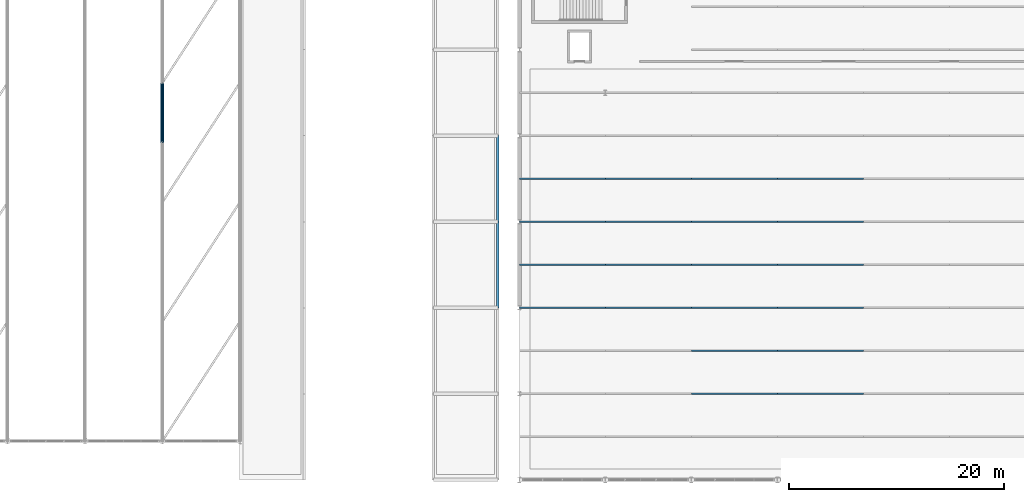
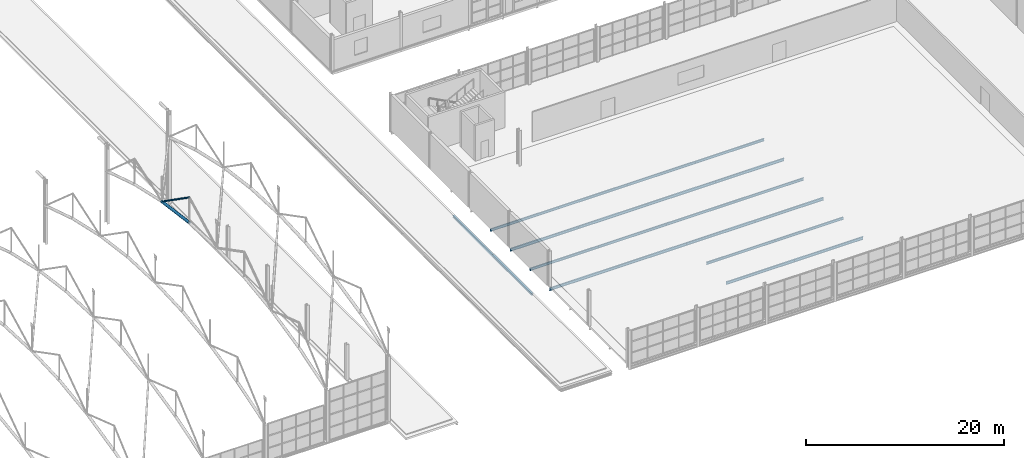
# One storey, part 71 of 153: 22 beams, 2 members.
"""IFC4 building model written with IfcOpenShell, lengths in metres."""

from ifc_helpers import new_model, si_unit, derived_unit, direction, frame, origin, origin_2d, place, context, subcontext, project, spatial, hollow_circle, i_section, extrude, material, material_profile, profile_set, type_object, element, save


model = new_model("IFC4")

# Units and contexts
model_context = context("Model", 3, precision=1e-05, world=origin(), true_north=direction((0.0, 1.0)))
body_context = subcontext(model_context, "Body", "Model", "MODEL_VIEW")
ifc_project = project(units=[si_unit("LENGTHUNIT", "METRE"), si_unit("AREAUNIT", "SQUARE_METRE"), si_unit("VOLUMEUNIT", "CUBIC_METRE"), si_unit("PLANEANGLEUNIT", "RADIAN"), si_unit("MASSUNIT", "GRAM", prefix="KILO"), derived_unit("THERMALTRANSMITTANCEUNIT", [(si_unit("POWERUNIT", "WATT"), 1), (si_unit("LENGTHUNIT", "METRE"), -2), (si_unit("THERMODYNAMICTEMPERATUREUNIT", "KELVIN"), -1)])], contexts=[model_context])

# Site, building, storey
site_placement = place(None, origin())
site = spatial("IfcSite", under=ifc_project, at=site_placement, CompositionType="ELEMENT")
building_placement = place(site_placement, origin())
building = spatial("IfcBuilding", under=site, at=building_placement, Name="Keldorne Ridge Multi-Sports Centre", CompositionType="ELEMENT")
storey_placement = place(building_placement, frame((0.0, 0.0, 9.60009765625)))
storey = spatial("IfcBuildingStorey", under=building, at=storey_placement, Name="L02", CompositionType="ELEMENT", Elevation=9.60009765625)

# Beams
ifc_material = material(Name="Steel S355", Category="steel")
ifc_material_profile_1 = material_profile(ifc_material, i_section(OverallWidth=0.159912109375, OverallDepth=0.330078125, WebThickness=0.007568359375, FlangeThickness=0.011474609375, FilletRadius=0.01806640625, at=origin_2d()), Name="IPE 330")
ifc_profile_set_1 = profile_set([ifc_material_profile_1], Name="Steel S355")
beam_type_1 = type_object("IfcBeamType", Name="BM-J-01", PredefinedType="JOIST", material=ifc_profile_set_1)
for number, where, z_axis, x_axis, name in (
    (1, (104.0, 22.0, -0.405029296875), (1.0, 0.0, 0.0), (0.0, 1.0, 0.0), "L02 Stacked Courts beam 1.5"),
    (2, (104.0, 30.0, -0.405029296875), (1.0, 0.0, 0.0), (0.0, 1.0, 0.0), "L02 Stacked Courts beam 1.7"),
    (3, (112.0, 22.0, -0.405029296875), (1.0, 0.0, 0.0), (0.0, 1.0, 0.0), "L02 Stacked Courts beam 2.5"),
    (4, (112.0, 30.0, -0.405029296875), (1.0, 0.0, 0.0), (0.0, 1.0, 0.0), "L02 Stacked Courts beam 2.7"),
    (5, (120.0, 14.0, -0.405029296875), (1.0, 0.0, 0.0), (0.0, 1.0, 0.0), "L02 Stacked Courts beam 3.3"),
    (6, (120.0, 22.0, -0.405029296875), (1.0, 0.0, 0.0), (0.0, 1.0, 0.0), "L02 Stacked Courts beam 3.5"),
    (7, (120.0, 30.0, -0.405029296875), (1.0, 0.0, 0.0), (0.0, 1.0, 0.0), "L02 Stacked Courts beam 3.7"),
    (8, (128.0, 14.0, -0.405029296875), (1.0, 0.0, 0.0), (0.0, 1.0, 0.0), "L02 Stacked Courts beam 4.3"),
    (9, (128.0, 22.0, -0.405029296875), (1.0, 0.0, 0.0), (0.0, 1.0, 0.0), "L02 Stacked Courts beam 4.5"),
    (10, (128.0, 30.0, -0.405029296875), (1.0, 0.0, 0.0), (0.0, 1.0, 0.0), "L02 Stacked Courts beam 4.7"),
):
    element("IfcBeam", number, at=place(storey_placement, frame(where, z_axis=z_axis, x_axis=x_axis)), inside=storey, type_object=beam_type_1, Name=name, PredefinedType="JOIST", context=body_context, shape_type="SweptSolid", body=[
        extrude(i_section(OverallWidth=0.159912109375, OverallDepth=0.330078125, WebThickness=0.007568359375, FlangeThickness=0.011474609375, FilletRadius=0.01806640625, at=origin_2d()), origin(), (0.0, 0.0, 1.0), 8.0),
    ])
ifc_material_profile_2 = material_profile(ifc_material, i_section(OverallWidth=0.14990234375, OverallDepth=0.300048828125, WebThickness=0.007080078125, FlangeThickness=0.0107421875, FilletRadius=0.014892578125, at=origin_2d()), Name="IPE 300")
ifc_profile_set_2 = profile_set([ifc_material_profile_2], Name="Steel S355")
beam_type_2 = type_object("IfcBeamType", Name="BM-J-02", PredefinedType="JOIST", material=ifc_profile_set_2)
for number, where, z_axis, x_axis, name in (
    (11, (104.0, 26.0, -0.39013671875), (1.0, 0.0, 0.0), (0.0, 1.0, 0.0), "L02 Stacked Courts beam 1.6"),
    (12, (104.0, 34.0, -0.39013671875), (1.0, 0.0, 0.0), (0.0, 1.0, 0.0), "L02 Stacked Courts beam 1.8"),
    (13, (112.0, 26.0, -0.39013671875), (1.0, 0.0, 0.0), (0.0, 1.0, 0.0), "L02 Stacked Courts beam 2.6"),
    (14, (112.0, 34.0, -0.39013671875), (1.0, 0.0, 0.0), (0.0, 1.0, 0.0), "L02 Stacked Courts beam 2.8"),
    (15, (120.0, 18.0, -0.39013671875), (1.0, 0.0, 0.0), (0.0, 1.0, 0.0), "L02 Stacked Courts beam 3.4"),
    (16, (120.0, 26.0, -0.39013671875), (1.0, 0.0, 0.0), (0.0, 1.0, 0.0), "L02 Stacked Courts beam 3.6"),
    (17, (120.0, 34.0, -0.39013671875), (1.0, 0.0, 0.0), (0.0, 1.0, 0.0), "L02 Stacked Courts beam 3.8"),
    (18, (128.0, 18.0, -0.39013671875), (1.0, 0.0, 0.0), (0.0, 1.0, 0.0), "L02 Stacked Courts beam 4.4"),
    (19, (128.0, 26.0, -0.39013671875), (1.0, 0.0, 0.0), (0.0, 1.0, 0.0), "L02 Stacked Courts beam 4.6"),
    (20, (128.0, 34.0, -0.39013671875), (1.0, 0.0, 0.0), (0.0, 1.0, 0.0), "L02 Stacked Courts beam 4.8"),
):
    element("IfcBeam", number, at=place(storey_placement, frame(where, z_axis=z_axis, x_axis=x_axis)), inside=storey, type_object=beam_type_2, Name=name, PredefinedType="JOIST", context=body_context, shape_type="SweptSolid", body=[
        extrude(i_section(OverallWidth=0.14990234375, OverallDepth=0.300048828125, WebThickness=0.007080078125, FlangeThickness=0.0107421875, FilletRadius=0.014892578125, at=origin_2d()), origin(), (0.0, 0.0, 1.0), 8.0),
    ])
ifc_material_profile_3 = material_profile(ifc_material, i_section(OverallWidth=0.239990234375, OverallDepth=0.22998046875, WebThickness=0.007568359375, FlangeThickness=0.011962890625, FilletRadius=0.02099609375, at=origin_2d()), Name="HEA 240")
ifc_profile_set_3 = profile_set([ifc_material_profile_3], Name="Steel S355")
beam_type_3 = type_object("IfcBeamType", Name="BM-SP-05", PredefinedType="SPANDREL", material=ifc_profile_set_3)
for number, where, z_axis, x_axis, name in (
    (21, (102.0, 22.0, -0.34521484375), (0.0, 1.0, 0.0), (-1.0, 0.0, 0.0), "L02 passage roof beam G15.3"),
    (22, (102.0, 30.0, -0.34521484375), (0.0, 1.0, 0.0), (-1.0, 0.0, 0.0), "L02 passage roof beam G15.4"),
):
    element("IfcBeam", number, at=place(storey_placement, frame(where, z_axis=z_axis, x_axis=x_axis)), inside=storey, type_object=beam_type_3, Name=name, PredefinedType="SPANDREL", context=body_context, shape_type="SweptSolid", body=[
        extrude(i_section(OverallWidth=0.239990234375, OverallDepth=0.22998046875, WebThickness=0.007568359375, FlangeThickness=0.011962890625, FilletRadius=0.02099609375, at=origin_2d()), origin(), (0.0, 0.0, 1.0), 8.0),
    ])

# Members
ifc_material_profile_4 = material_profile(ifc_material, hollow_circle(Radius=0.161865234375, WallThickness=0.01611328125, at=origin_2d()), Name="CHS 323.9x16")
ifc_profile_set_4 = profile_set([ifc_material_profile_4], Name="Steel S355")
member_type_1 = type_object("IfcMemberType", Name="MEM-TC-02", PredefinedType="CHORD", material=ifc_profile_set_4)
member_1_placement = place(storey_placement, frame((70.800048828125, 37.35009765625, 10.1298828125), z_axis=(0.0, 0.990991804939, -0.133922524405), x_axis=(-1.0, 0.0, 0.0)))
element("IfcMember", 23, at=member_1_placement, inside=storey, type_object=member_type_1, Name="Main Hall ROOF TRUSS AT-10 bottom chord 6", PredefinedType="CHORD", context=body_context, shape_type="SweptSolid", body=[
    extrude(hollow_circle(Radius=0.161865234375, WallThickness=0.01611328125, at=origin_2d()), origin(), (0.0, 0.0, 1.0), 5.600341796875),
])
ifc_material_profile_5 = material_profile(ifc_material, hollow_circle(Radius=0.096923828125, WallThickness=0.010009765625, at=origin_2d()), Name="CHS 193.7x10")
ifc_profile_set_5 = profile_set([ifc_material_profile_5], Name="Steel S355")
member_type_2 = type_object("IfcMemberType", Name="MEM-TD-01", PredefinedType="BRACE", material=ifc_profile_set_5)
member_2_placement = place(storey_placement, frame((70.800048828125, 37.35009765625, 13.25), z_axis=(0.0, 0.820254519762, -0.571998708748), x_axis=(-1.0, 0.0, 0.0)))
element("IfcMember", 24, at=member_2_placement, inside=storey, type_object=member_type_2, Name="Main Hall ROOF TRUSS AT-10 diagonal 6", PredefinedType="BRACE", context=body_context, shape_type="SweptSolid", body=[
    extrude(hollow_circle(Radius=0.096923828125, WallThickness=0.010009765625, at=origin_2d()), origin(), (0.0, 0.0, 1.0), 6.765869140625),
])

save(model, "model.ifc")
